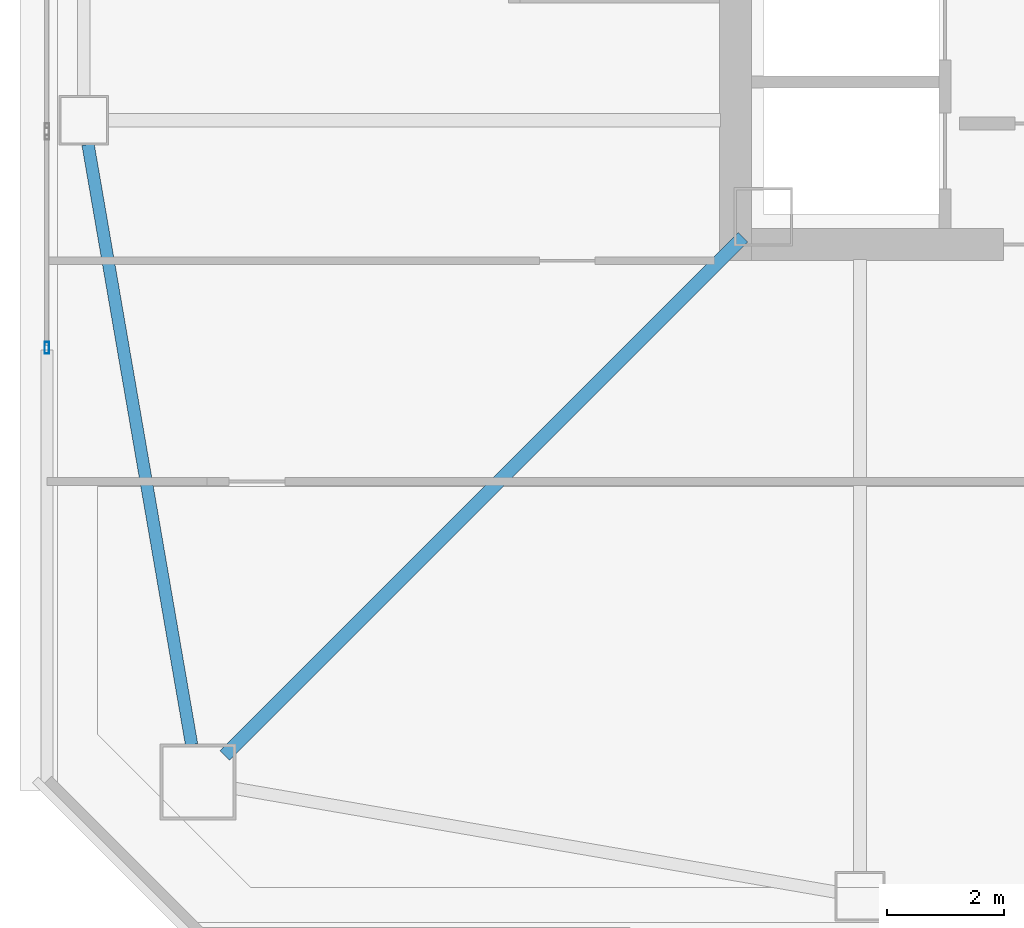
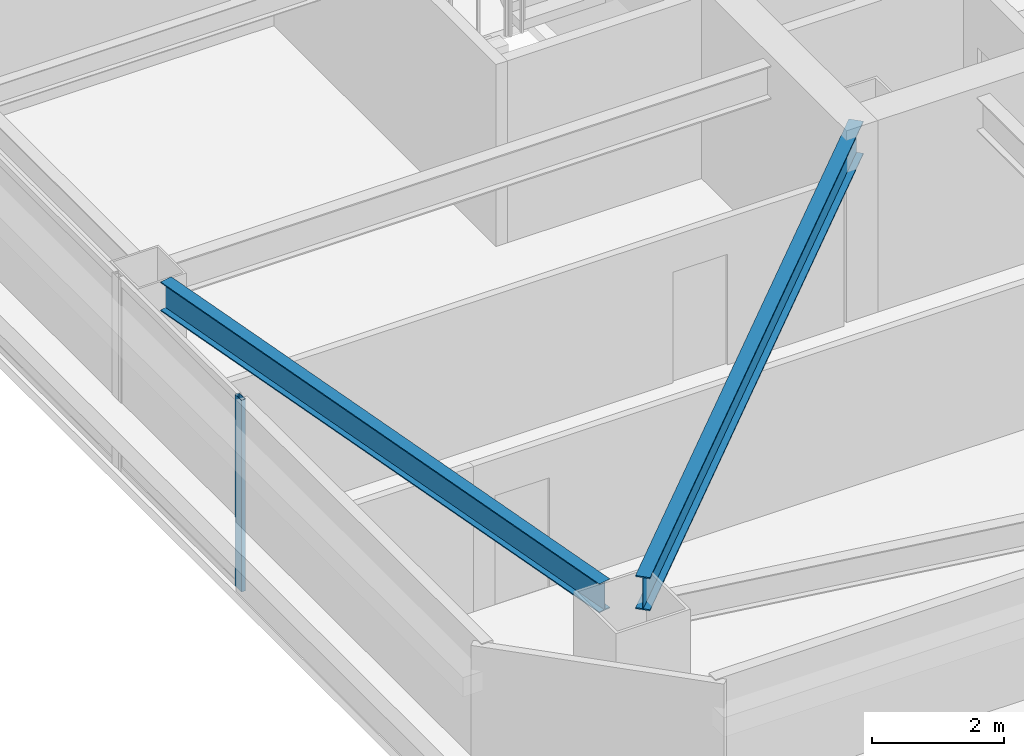
# One storey, part 4 of 40: 2 beams, 1 member, 1 element without a shape of its own.
"""IFC4 building model written with IfcOpenShell, lengths in metres."""

from ifc_helpers import new_model, si_unit, direction, frame, origin, origin_2d, place, context, subcontext, project, spatial, hollow_rectangle, i_section, extrude, material, material_profile, profile_set, type_object, element, aggregate, save


model = new_model("IFC4")

# Units and contexts
model_context = context("Model", 3, precision=1e-05, world=origin(), true_north=direction((0.0, 1.0)))
body_context = subcontext(model_context, "Body", "Model", "MODEL_VIEW")
ifc_project = project(units=[si_unit("LENGTHUNIT", "METRE"), si_unit("AREAUNIT", "SQUARE_METRE"), si_unit("VOLUMEUNIT", "CUBIC_METRE"), si_unit("PLANEANGLEUNIT", "RADIAN"), si_unit("MASSUNIT", "GRAM", prefix="KILO")], contexts=[model_context])

# Site, building, storey
site_placement = place(None, origin())
site = spatial("IfcSite", under=ifc_project, at=site_placement, CompositionType="ELEMENT")
building_placement = place(site_placement, origin())
building = spatial("IfcBuilding", under=site, at=building_placement, Name="Tashvorn Skyway Center", CompositionType="ELEMENT")
storey_placement = place(building_placement, frame((0.0, 0.0, 142.800048828125)))
storey = spatial("IfcBuildingStorey", under=building, at=storey_placement, Name="L38", CompositionType="ELEMENT", Elevation=142.800048828125)

# Beams
ifc_material_1 = material(Name="Steel ASTM A992 Grade 50", Category="steel")
ifc_material_profile_1 = material_profile(ifc_material_1, i_section(OverallWidth=0.22998046875, OverallDepth=0.616943359375, WebThickness=0.01318359375, FlangeThickness=0.022216796875, at=origin_2d()), Name="W24X94")
ifc_profile_set_1 = profile_set([ifc_material_profile_1], Name="Steel ASTM A992 Grade 50")
beam_type_1 = type_object("IfcBeamType", Name="BM-BEAM-W24X94", PredefinedType="BEAM", material=ifc_profile_set_1)
beam_1_placement = place(storey_placement, frame((25.756103515625, 15.756103515625, 3.0615234375), z_axis=(0.707106781187, 0.707106781187, 0.0), x_axis=(-0.707106781187, 0.707106781187, 0.0)))
element("IfcBeam", 1, at=beam_1_placement, inside=storey, type_object=beam_type_1, Name="Tower 1 L38 Primary Floor Girder MC-SW", PredefinedType="BEAM", context=body_context, shape_type="SweptSolid", body=[
    extrude(i_section(OverallWidth=0.22998046875, OverallDepth=0.616943359375, WebThickness=0.01318359375, FlangeThickness=0.022216796875, at=origin_2d()), origin(), (0.0, 0.0, 1.0), 12.50732421875),
])
ifc_material_profile_2 = material_profile(ifc_material_1, i_section(OverallWidth=0.2109375, OverallDepth=0.5390625, WebThickness=0.01171875, FlangeThickness=0.018798828125, at=origin_2d()), Name="W21X73")
ifc_profile_set_2 = profile_set([ifc_material_profile_2], Name="Steel ASTM A992 Grade 50")
beam_type_2 = type_object("IfcBeamType", Name="BM-SPANDREL-W21X73", PredefinedType="SPANDREL", material=ifc_profile_set_2)
beam_2_placement = place(storey_placement, frame((23.42138671875, 26.18603515625, 3.100341796875), z_axis=(0.170067250846, -0.985432458462, 0.0), x_axis=(0.985432458462, 0.170067250846, 0.0)))
element("IfcBeam", 2, at=beam_2_placement, inside=storey, type_object=beam_type_2, Name="Tower 1 L38 Spandrel Beam 12", PredefinedType="SPANDREL", context=body_context, shape_type="SweptSolid", body=[
    extrude(i_section(OverallWidth=0.2109375, OverallDepth=0.5390625, WebThickness=0.01171875, FlangeThickness=0.018798828125, at=origin_2d()), origin(), (0.0, 0.0, 1.0), 10.402099609375),
])

# Curtain wall, member
ifc_material_2 = material(Name="Thermally broken bronze-anodized aluminium 6063-T6", Category="aluminium")
curtain_wall_type = type_object("IfcCurtainWallType", Name="CW-CW-Z3", PredefinedType="NOTDEFINED", material=ifc_material_2)
curtain_wall_placement = place(storey_placement, origin())
curtain_wall = element("IfcCurtainWall", 3, at=curtain_wall_placement, inside=storey, type_object=curtain_wall_type, Name="Tower 1 L38 West Unitised Curtain Wall Glazing Group 1", PredefinedType="NOTDEFINED")
ifc_material_profile_3 = material_profile(ifc_material_2, hollow_rectangle(XDim=0.074951171875, YDim=0.199951171875, WallThickness=0.00439453125, at=origin_2d()), Name="ALU-MULL-75x200")
ifc_profile_set_3 = profile_set([ifc_material_profile_3], Name="Thermally broken bronze-anodized aluminium 6063-T6")
member_type = type_object("IfcMemberType", Name="CWM-CW-Z3", PredefinedType="MULLION", material=ifc_profile_set_3)
member_placement = place(storey_placement, frame((22.719970703125, 22.71533203125, 0.0), z_axis=(0.0, 0.0, 1.0), x_axis=(-1.0, 0.0, 0.0)))
member = element("IfcMember", 4, at=member_placement, type_object=member_type, Name="CW-Z3 mullion 1", PredefinedType="MULLION", context=body_context, shape_type="SweptSolid", body=[
    extrude(hollow_rectangle(XDim=0.074951171875, YDim=0.199951171875, WallThickness=0.00439453125, at=origin_2d()), origin(), (0.0, 0.0, 1.0), 3.550048828125),
])
aggregate(curtain_wall, [member])

save(model, "model.ifc")
